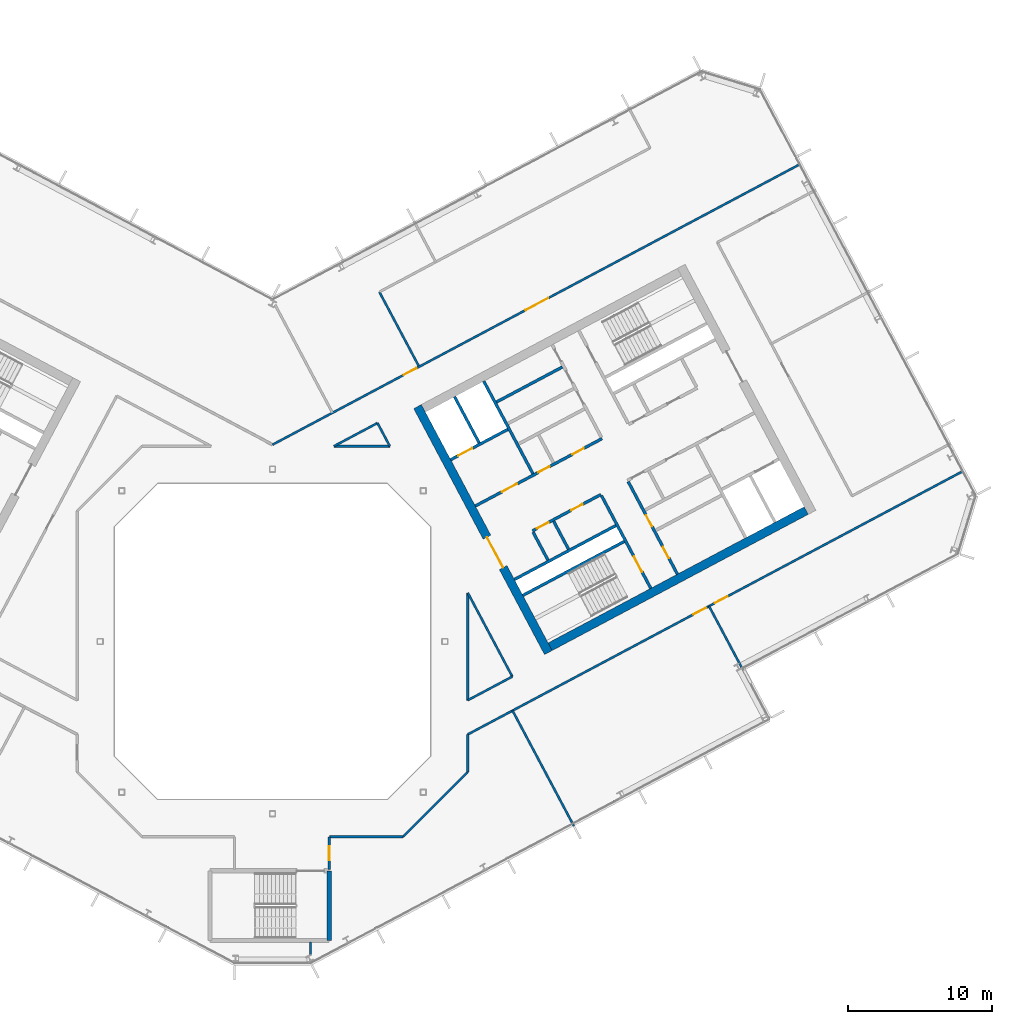
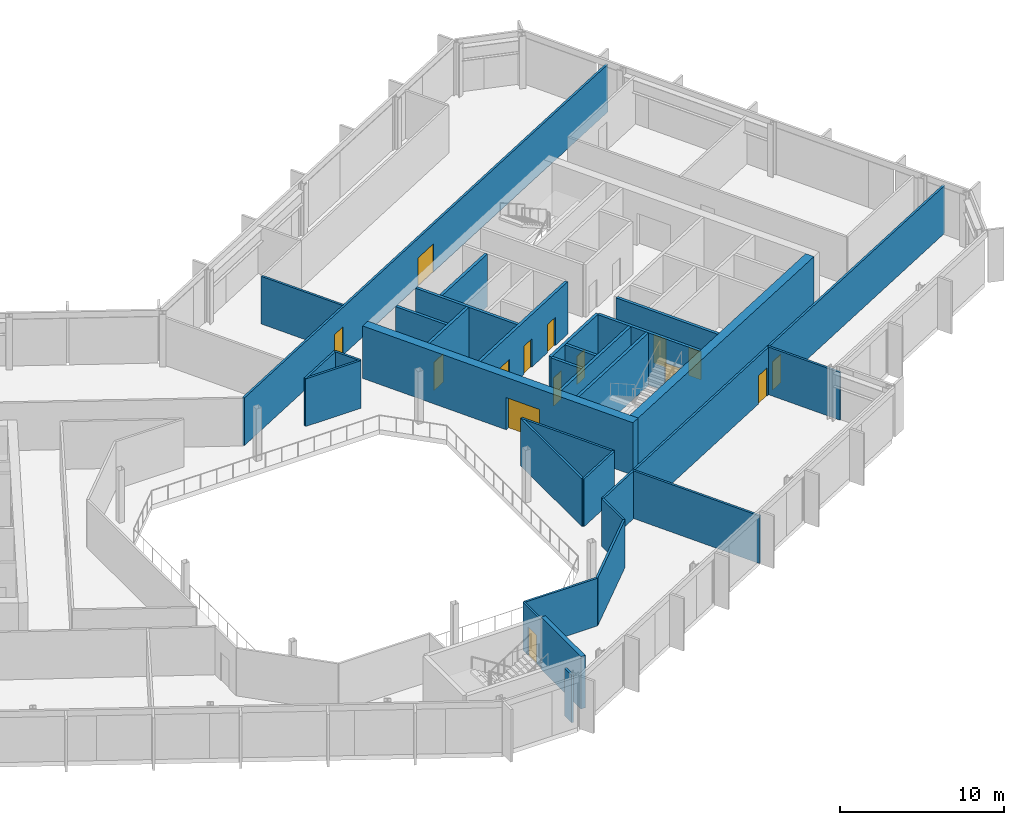
# One storey, part 15 of 26: 31 walls, 15 doors, 15 openings.
"""IFC4 building model written with IfcOpenShell, lengths in metres."""

from ifc_helpers import new_model, si_unit, direction, frame, frame_2d, origin, place, context, subcontext, project, spatial, rectangle, extrude, material, layer, layer_set, type_object, element, fill, save


model = new_model("IFC4")

# Units and contexts
model_context = context("Model", 3, precision=1e-05, world=origin(), true_north=direction((0.0, 1.0)))
body_context = subcontext(model_context, "Body", "Model", "MODEL_VIEW")
ifc_project = project(units=[si_unit("LENGTHUNIT", "METRE"), si_unit("AREAUNIT", "SQUARE_METRE"), si_unit("VOLUMEUNIT", "CUBIC_METRE"), si_unit("PLANEANGLEUNIT", "RADIAN"), si_unit("MASSUNIT", "GRAM", prefix="KILO")], contexts=[model_context])

# Site, building, storey
site_placement = place(None, origin())
site = spatial("IfcSite", under=ifc_project, at=site_placement, CompositionType="ELEMENT")
building_placement = place(site_placement, origin())
building = spatial("IfcBuilding", under=site, at=building_placement, Name="Cormorant Relay Tower", CompositionType="ELEMENT")
storey_placement = place(building_placement, frame((0.0, 0.0, 220.800048828125)))
storey = spatial("IfcBuildingStorey", under=building, at=storey_placement, Name="L48", CompositionType="ELEMENT", Elevation=220.800048828125)

# Walls
ifc_material_1 = material(Name="Concrete 40 MPa", Category="concrete")
ifc_layer_1 = layer(ifc_material_1, 0.199951171875)
ifc_layer_set_1 = layer_set([ifc_layer_1], Name="Core internal wall 200")
wall_type_1 = type_object("IfcWallType", Name="Core internal wall 200", PredefinedType="SOLIDWALL", material=ifc_layer_set_1)
wall_1_placement = place(storey_placement, frame((20.614013671875, 6.430419921875, 0.0), z_axis=(0.0, 0.0, 1.0), x_axis=(-0.4694473164, 0.882960484464, 0.0)))
element("IfcWall", 1, at=wall_1_placement, inside=storey, type_object=wall_type_1, Name="L48 core B shaft and room wall", PredefinedType="SOLIDWALL", context=body_context, shape_type="SweptSolid", body=[
    extrude(rectangle(XDim=2.199951171875, YDim=0.199951171875, at=frame_2d((1.10009765625, 0.0))), origin(), (0.0, 0.0, 1.0), 3.89990234375),
])
wall_2_placement = place(storey_placement, frame((15.59765625, 16.67431640625, 0.0), z_axis=(0.0, 0.0, 1.0), x_axis=(0.882934506056, 0.469496174655, 0.0)))
element("IfcWall", 2, at=wall_2_placement, inside=storey, type_object=wall_type_1, Name="L48 core B shaft and room wall", PredefinedType="SOLIDWALL", context=body_context, shape_type="SweptSolid", body=[
    extrude(rectangle(XDim=5.199951171875, YDim=0.199951171875, at=frame_2d((2.60009765625, 0.0))), origin(), (0.0, 0.0, 1.0), 3.89990234375),
])
ifc_material_2 = material(Name="Concrete 50 MPa", Category="concrete")
ifc_layer_2 = layer(ifc_material_2, 0.199951171875)
ifc_layer_set_2 = layer_set([ifc_layer_2], Name="Core shaft wall 200")
wall_type_2 = type_object("IfcWallType", Name="Core shaft wall 200", PredefinedType="SHEAR", material=ifc_layer_set_2)
wall_3_placement = place(storey_placement, frame((14.39404296875, 13.825927734375, 0.0), z_axis=(0.0, 0.0, 1.0), x_axis=(-0.469494272526, 0.882935517501, 0.0)))
element("IfcWall", 3, at=wall_3_placement, inside=storey, type_object=wall_type_2, Name="L48 core B shaft wall", PredefinedType="SHEAR", context=body_context, shape_type="SweptSolid", body=[
    extrude(rectangle(XDim=3.64990234375, YDim=0.199951171875, at=frame_2d((1.824951171875, 0.0))), origin(), (0.0, 0.0, 1.0), 3.89990234375),
])
wall_4_placement = place(storey_placement, frame((19.18359375, 5.669921875, 0.0), z_axis=(0.0, 0.0, 1.0), x_axis=(-0.4694473164, 0.882960484464, 0.0)))
element("IfcWall", 4, at=wall_4_placement, inside=storey, type_object=wall_type_2, Name="L48 core B shaft wall", PredefinedType="SHEAR", context=body_context, shape_type="SweptSolid", body=[
    extrude(rectangle(XDim=2.199951171875, YDim=0.199951171875, at=frame_2d((1.10009765625, 0.0))), origin(), (0.0, 0.0, 1.0), 3.89990234375),
])
wall_5_placement = place(storey_placement, frame((18.138427734375, 11.682861328125, 0.0), z_axis=(0.0, 0.0, 1.0), x_axis=(-0.469480409012, 0.88294288918, 0.0)))
element("IfcWall", 5, at=wall_5_placement, inside=storey, type_object=wall_type_2, Name="L48 core B shaft wall", PredefinedType="SHEAR", context=body_context, shape_type="SweptSolid", body=[
    extrude(rectangle(XDim=7.300048828125, YDim=0.199951171875, at=frame_2d((3.64990234375, 0.0))), origin(), (0.0, 0.0, 1.0), 3.89990234375),
])

# Wall, opening, door
wall_6_placement = place(storey_placement, frame((26.345947265625, 3.701904296875, 0.0), z_axis=(0.0, 0.0, 1.0), x_axis=(-0.469480409012, 0.88294288918, 0.0)))
wall_6 = element("IfcWall", 6, at=wall_6_placement, inside=storey, type_object=wall_type_2, Name="L48 core B shaft wall", PredefinedType="SHEAR", context=body_context, shape_type="SweptSolid", body=[
    extrude(rectangle(XDim=7.300048828125, YDim=0.199951171875, at=frame_2d((3.64990234375, 0.0))), origin(), (0.0, 0.0, 1.0), 3.89990234375),
])
opening_1_placement = place(wall_6_placement, frame((1.300048828125, 0.0, 0.0)))
opening_1 = element("IfcOpeningElement", 7, at=opening_1_placement, cuts=wall_6, Name="Opening CDB-040", PredefinedType="OPENING", context=body_context, shape_type="SweptSolid", body=[
    extrude(rectangle(XDim=1.199951171875, YDim=2.10009765625, at=frame_2d((0.60009765625, 1.050048828125))), frame((0.0, 0.10986328125, 0.0), z_axis=(0.0, -1.0, 0.0), x_axis=(1.0, 0.0, 0.0)), (0.0, 0.0, 1.0), 0.219970703125),
])
ifc_material_3 = material(Name="Steel fire door", Category="steel")
door_type_1 = type_object("IfcDoorType", Name="Core stair door 1200x2100", OperationType="SINGLE_SWING_LEFT", PredefinedType="DOOR", material=ifc_material_3)
door_1_placement = place(opening_1_placement, origin())
door_1 = element("IfcDoor", 8, at=door_1_placement, inside=storey, type_object=door_type_1, Name="Core stair door 1200x2100", OperationType="SINGLE_SWING_RIGHT", OverallHeight=2.10009765625, OverallWidth=1.199951171875, PredefinedType="DOOR", context=body_context, shape_type="SweptSolid", body=[
    extrude(rectangle(XDim=1.199951171875, YDim=2.10009765625, at=frame_2d((0.60009765625, 1.050048828125))), frame((0.0, 0.02490234375, 0.0), z_axis=(0.0, -1.0, 0.0), x_axis=(1.0, 0.0, 0.0)), (0.0, 0.0, 1.0), 0.050048828125),
])
fill(opening_1, door_1)

# Wall, openings, doors
wall_7_placement = place(storey_placement, frame((28.199951171875, 4.687744140625, 0.0), z_axis=(0.0, 0.0, 1.0), x_axis=(-0.469454336211, 0.882956752176, 0.0)))
wall_7 = element("IfcWall", 9, at=wall_7_placement, inside=storey, type_object=wall_type_2, Name="L48 core B shaft wall", PredefinedType="SHEAR", context=body_context, shape_type="SweptSolid", body=[
    extrude(rectangle(XDim=7.300048828125, YDim=0.199951171875, at=frame_2d((3.64990234375, 0.0))), origin(), (0.0, 0.0, 1.0), 3.89990234375),
])
opening_2_placement = place(wall_7_placement, frame((1.25, 0.0, 0.0)))
opening_2 = element("IfcOpeningElement", 10, at=opening_2_placement, cuts=wall_7, Name="Opening CDD-277", PredefinedType="OPENING", context=body_context, shape_type="SweptSolid", body=[
    extrude(rectangle(XDim=0.89990234375, YDim=2.10009765625, at=frame_2d((0.449951171875, 1.050048828125))), frame((0.0, 0.10986328125, 0.0), z_axis=(0.0, -1.0, 0.0), x_axis=(1.0, 0.0, 0.0)), (0.0, 0.0, 1.0), 0.219970703125),
])
opening_3_placement = place(wall_7_placement, frame((3.75, 0.0, 0.0)))
opening_3 = element("IfcOpeningElement", 11, at=opening_3_placement, cuts=wall_7, Name="Opening CDD-253", PredefinedType="OPENING", context=body_context, shape_type="SweptSolid", body=[
    extrude(rectangle(XDim=0.89990234375, YDim=2.10009765625, at=frame_2d((0.449951171875, 1.050048828125))), frame((0.0, 0.10986328125, 0.0), z_axis=(0.0, -1.0, 0.0), x_axis=(1.0, 0.0, 0.0)), (0.0, 0.0, 1.0), 0.219970703125),
])
ifc_material_4 = material(Name="Steel fire door", Category="steel")
door_type_2 = type_object("IfcDoorType", Name="Core room door 900x2100", OperationType="SINGLE_SWING_LEFT", PredefinedType="DOOR", material=ifc_material_4)
door_2_placement = place(opening_2_placement, frame((0.89990234375, 0.0, 0.0), z_axis=(0.0, 0.0, 1.0), x_axis=(-1.0, 0.0, 0.0)))
door_2 = element("IfcDoor", 12, at=door_2_placement, inside=storey, type_object=door_type_2, Name="Core room door 900x2100", OperationType="SINGLE_SWING_LEFT", OverallHeight=2.10009765625, OverallWidth=0.89990234375, PredefinedType="DOOR", context=body_context, shape_type="SweptSolid", body=[
    extrude(rectangle(XDim=0.89990234375, YDim=2.10009765625, at=frame_2d((0.449951171875, 1.050048828125))), frame((0.0, 0.02490234375, 0.0), z_axis=(0.0, -1.0, 0.0), x_axis=(1.0, 0.0, 0.0)), (0.0, 0.0, 1.0), 0.050048828125),
])
fill(opening_2, door_2)
door_3_placement = place(opening_3_placement, frame((0.89990234375, 0.0, 0.0), z_axis=(0.0, 0.0, 1.0), x_axis=(-1.0, 0.0, 0.0)))
door_3 = element("IfcDoor", 13, at=door_3_placement, inside=storey, type_object=door_type_2, Name="Core room door 900x2100", OperationType="SINGLE_SWING_LEFT", OverallHeight=2.10009765625, OverallWidth=0.89990234375, PredefinedType="DOOR", context=body_context, shape_type="SweptSolid", body=[
    extrude(rectangle(XDim=0.89990234375, YDim=2.10009765625, at=frame_2d((0.449951171875, 1.050048828125))), frame((0.0, 0.02490234375, 0.0), z_axis=(0.0, -1.0, 0.0), x_axis=(1.0, 0.0, 0.0)), (0.0, 0.0, 1.0), 0.050048828125),
])
fill(opening_3, door_3)

# Walls
for number, where, z_axis, x_axis, name in (
    (14, (17.43359375, 3.210205078125, 0.0), (0.0, 0.0, 1.0), (0.882940221191, 0.469485426614, 0.0), "L48 core B shaft wall"),
    (15, (16.8466796875, 4.31396484375, 0.0), (0.0, 0.0, 1.0), (0.882940221191, 0.469485426614, 0.0), "L48 core B shaft wall"),
):
    element("IfcWall", number, at=place(storey_placement, frame(where, z_axis=z_axis, x_axis=x_axis)), inside=storey, type_object=wall_type_2, Name=name, PredefinedType="SHEAR", context=body_context, shape_type="SweptSolid", body=[
        extrude(rectangle(XDim=8.0, YDim=0.199951171875, at=frame_2d((4.0, 0.0))), origin(), (0.0, 0.0, 1.0), 3.89990234375),
    ])

# Wall, openings, doors
wall_8_placement = place(storey_placement, frame((18.103759765625, 7.70068359375, 0.0), z_axis=(0.0, 0.0, 1.0), x_axis=(0.882952937579, 0.469461510692, 0.0)))
wall_8 = element("IfcWall", 16, at=wall_8_placement, inside=storey, type_object=wall_type_2, Name="L48 core B shaft wall", PredefinedType="SHEAR", context=body_context, shape_type="SweptSolid", body=[
    extrude(rectangle(XDim=5.400146484375, YDim=0.199951171875, at=frame_2d((2.7001953125, 0.0))), origin(), (0.0, 0.0, 1.0), 3.89990234375),
])
opening_4_placement = place(wall_8_placement, frame((0.360107421875, 0.0, 0.0)))
opening_4 = element("IfcOpeningElement", 17, at=opening_4_placement, cuts=wall_8, Name="Opening CDD-245", PredefinedType="OPENING", context=body_context, shape_type="SweptSolid", body=[
    extrude(rectangle(XDim=0.89990234375, YDim=2.10009765625, at=frame_2d((0.449951171875, 1.050048828125))), frame((0.0, 0.10986328125, 0.0), z_axis=(0.0, -1.0, 0.0), x_axis=(1.0, 0.0, 0.0)), (0.0, 0.0, 1.0), 0.219970703125),
])
opening_5_placement = place(wall_8_placement, frame((3.06005859375, 0.0, 0.0)))
opening_5 = element("IfcOpeningElement", 18, at=opening_5_placement, cuts=wall_8, Name="Opening CDD-246", PredefinedType="OPENING", context=body_context, shape_type="SweptSolid", body=[
    extrude(rectangle(XDim=0.89990234375, YDim=2.10009765625, at=frame_2d((0.449951171875, 1.050048828125))), frame((0.0, 0.10986328125, 0.0), z_axis=(0.0, -1.0, 0.0), x_axis=(1.0, 0.0, 0.0)), (0.0, 0.0, 1.0), 0.219970703125),
])
door_4_placement = place(opening_4_placement, frame((0.89990234375, 0.0, 0.0), z_axis=(0.0, 0.0, 1.0), x_axis=(-1.0, 0.0, 0.0)))
door_4 = element("IfcDoor", 19, at=door_4_placement, inside=storey, type_object=door_type_2, Name="Core room door 900x2100", OperationType="SINGLE_SWING_RIGHT", OverallHeight=2.10009765625, OverallWidth=0.89990234375, PredefinedType="DOOR", context=body_context, shape_type="SweptSolid", body=[
    extrude(rectangle(XDim=0.89990234375, YDim=2.10009765625, at=frame_2d((0.449951171875, 1.050048828125))), frame((0.0, 0.02490234375, 0.0), z_axis=(0.0, -1.0, 0.0), x_axis=(1.0, 0.0, 0.0)), (0.0, 0.0, 1.0), 0.050048828125),
])
fill(opening_4, door_4)
door_5_placement = place(opening_5_placement, frame((0.89990234375, 0.0, 0.0), z_axis=(0.0, 0.0, 1.0), x_axis=(-1.0, 0.0, 0.0)))
door_5 = element("IfcDoor", 20, at=door_5_placement, inside=storey, type_object=door_type_2, Name="Core room door 900x2100", OperationType="SINGLE_SWING_RIGHT", OverallHeight=2.10009765625, OverallWidth=0.89990234375, PredefinedType="DOOR", context=body_context, shape_type="SweptSolid", body=[
    extrude(rectangle(XDim=0.89990234375, YDim=2.10009765625, at=frame_2d((0.449951171875, 1.050048828125))), frame((0.0, 0.02490234375, 0.0), z_axis=(0.0, -1.0, 0.0), x_axis=(1.0, 0.0, 0.0)), (0.0, 0.0, 1.0), 0.050048828125),
])
fill(opening_5, door_5)

wall_9_placement = place(storey_placement, frame((14.123779296875, 9.43505859375, 0.0), z_axis=(0.0, 0.0, 1.0), x_axis=(0.882940221191, 0.469485426614, 0.0)))
wall_9 = element("IfcWall", 21, at=wall_9_placement, inside=storey, type_object=wall_type_2, Name="L48 core B shaft wall", PredefinedType="SHEAR", context=body_context, shape_type="SweptSolid", body=[
    extrude(rectangle(XDim=10.0, YDim=0.199951171875, at=frame_2d((5.0, 0.0))), origin(), (0.0, 0.0, 1.0), 3.89990234375),
])
opening_6_placement = place(wall_9_placement, frame((2.10009765625, 0.0, 0.0)))
opening_6 = element("IfcOpeningElement", 22, at=opening_6_placement, cuts=wall_9, Name="Opening CDC-035", PredefinedType="OPENING", context=body_context, shape_type="SweptSolid", body=[
    extrude(rectangle(XDim=1.199951171875, YDim=2.10009765625, at=frame_2d((0.60009765625, 1.050048828125))), frame((0.0, 0.10986328125, 0.0), z_axis=(0.0, -1.0, 0.0), x_axis=(1.0, 0.0, 0.0)), (0.0, 0.0, 1.0), 0.219970703125),
])
opening_7_placement = place(wall_9_placement, frame((4.9599609375, 0.0, 0.0)))
opening_7 = element("IfcOpeningElement", 23, at=opening_7_placement, cuts=wall_9, Name="Opening CDD-241", PredefinedType="OPENING", context=body_context, shape_type="SweptSolid", body=[
    extrude(rectangle(XDim=0.89990234375, YDim=2.10009765625, at=frame_2d((0.449951171875, 1.050048828125))), frame((0.0, 0.10986328125, 0.0), z_axis=(0.0, -1.0, 0.0), x_axis=(1.0, 0.0, 0.0)), (0.0, 0.0, 1.0), 0.219970703125),
])
opening_8_placement = place(wall_9_placement, frame((7.659912109375, 0.0, 0.0)))
opening_8 = element("IfcOpeningElement", 24, at=opening_8_placement, cuts=wall_9, Name="Opening CDD-272", PredefinedType="OPENING", context=body_context, shape_type="SweptSolid", body=[
    extrude(rectangle(XDim=0.89990234375, YDim=2.10009765625, at=frame_2d((0.449951171875, 1.050048828125))), frame((0.0, 0.10986328125, 0.0), z_axis=(0.0, -1.0, 0.0), x_axis=(1.0, 0.0, 0.0)), (0.0, 0.0, 1.0), 0.219970703125),
])
ifc_material_5 = material(Name="Steel fire door", Category="steel")
door_type_3 = type_object("IfcDoorType", Name="Core lobby door 1200x2100", OperationType="SINGLE_SWING_LEFT", PredefinedType="DOOR", material=ifc_material_5)
door_6_placement = place(opening_6_placement, frame((1.199951171875, 0.0, 0.0), z_axis=(0.0, 0.0, 1.0), x_axis=(-1.0, 0.0, 0.0)))
door_6 = element("IfcDoor", 25, at=door_6_placement, inside=storey, type_object=door_type_3, Name="Core lobby door 1200x2100", OperationType="SINGLE_SWING_RIGHT", OverallHeight=2.10009765625, OverallWidth=1.199951171875, PredefinedType="DOOR", context=body_context, shape_type="SweptSolid", body=[
    extrude(rectangle(XDim=1.199951171875, YDim=2.10009765625, at=frame_2d((0.60009765625, 1.050048828125))), frame((0.0, 0.02490234375, 0.0), z_axis=(0.0, -1.0, 0.0), x_axis=(1.0, 0.0, 0.0)), (0.0, 0.0, 1.0), 0.050048828125),
])
fill(opening_6, door_6)
door_7_placement = place(opening_7_placement, frame((0.89990234375, 0.0, 0.0), z_axis=(0.0, 0.0, 1.0), x_axis=(-1.0, 0.0, 0.0)))
door_7 = element("IfcDoor", 26, at=door_7_placement, inside=storey, type_object=door_type_2, Name="Core room door 900x2100", OperationType="SINGLE_SWING_RIGHT", OverallHeight=2.10009765625, OverallWidth=0.89990234375, PredefinedType="DOOR", context=body_context, shape_type="SweptSolid", body=[
    extrude(rectangle(XDim=0.89990234375, YDim=2.10009765625, at=frame_2d((0.449951171875, 1.050048828125))), frame((0.0, 0.02490234375, 0.0), z_axis=(0.0, -1.0, 0.0), x_axis=(1.0, 0.0, 0.0)), (0.0, 0.0, 1.0), 0.050048828125),
])
fill(opening_7, door_7)
door_8_placement = place(opening_8_placement, origin())
door_8 = element("IfcDoor", 27, at=door_8_placement, inside=storey, type_object=door_type_2, Name="Core room door 900x2100", OperationType="SINGLE_SWING_LEFT", OverallHeight=2.10009765625, OverallWidth=0.89990234375, PredefinedType="DOOR", context=body_context, shape_type="SweptSolid", body=[
    extrude(rectangle(XDim=0.89990234375, YDim=2.10009765625, at=frame_2d((0.449951171875, 1.050048828125))), frame((0.0, 0.02490234375, 0.0), z_axis=(0.0, -1.0, 0.0), x_axis=(1.0, 0.0, 0.0)), (0.0, 0.0, 1.0), 0.050048828125),
])
fill(opening_8, door_8)

# Wall, opening, door
wall_10_placement = place(storey_placement, frame((12.41015625, 12.657958984375, 0.0), z_axis=(0.0, 0.0, 1.0), x_axis=(0.8829484765, 0.469469900894, 0.0)))
wall_10 = element("IfcWall", 28, at=wall_10_placement, inside=storey, type_object=wall_type_2, Name="L48 core B shaft wall", PredefinedType="SHEAR", context=body_context, shape_type="SweptSolid", body=[
    extrude(rectangle(XDim=4.499755859375, YDim=0.199951171875, at=frame_2d((2.25, 0.0))), origin(), (0.0, 0.0, 1.0), 3.89990234375),
])
opening_9_placement = place(wall_10_placement, frame((0.60009765625, 0.0, 0.0)))
opening_9 = element("IfcOpeningElement", 29, at=opening_9_placement, cuts=wall_10, Name="Opening LD1-064", PredefinedType="OPENING", context=body_context, shape_type="SweptSolid", body=[
    extrude(rectangle(XDim=1.10009765625, YDim=2.10009765625, at=frame_2d((0.550048828125, 1.050048828125))), frame((0.0, 0.10986328125, 0.0), z_axis=(0.0, -1.0, 0.0), x_axis=(1.0, 0.0, 0.0)), (0.0, 0.0, 1.0), 0.219970703125),
])
ifc_material_6 = material(Name="Stainless steel 316", Category="steel")
door_type_4 = type_object("IfcDoorType", Name="Lift landing door 1100x2100", OperationType="DOUBLE_DOOR_SLIDING", PredefinedType="DOOR", material=ifc_material_6)
door_9_placement = place(opening_9_placement, origin())
door_9 = element("IfcDoor", 30, at=door_9_placement, inside=storey, type_object=door_type_4, Name="FF2 landing door", OperationType="DOUBLE_DOOR_SLIDING", OverallHeight=2.10009765625, OverallWidth=1.10009765625, PredefinedType="DOOR", context=body_context, shape_type="SweptSolid", body=[
    extrude(rectangle(XDim=1.10009765625, YDim=2.10009765625, at=frame_2d((0.550048828125, 1.050048828125))), frame((0.0, 0.02490234375, 0.0), z_axis=(0.0, -1.0, 0.0), x_axis=(1.0, 0.0, 0.0)), (0.0, 0.0, 1.0), 0.050048828125),
])
fill(opening_9, door_9)

ifc_material_7 = material(Name="Concrete 50 MPa", Category="concrete")
ifc_layer_3 = layer(ifc_material_7, 0.60009765625)
ifc_layer_set_3 = layer_set([ifc_layer_3], Name="Core wall 600")
wall_type_3 = type_object("IfcWallType", Name="Core wall 600", PredefinedType="SHEAR", material=ifc_layer_set_3)
wall_11_placement = place(storey_placement, frame((19.210693359375, -0.771484375, 0.0), z_axis=(0.0, 0.0, 1.0), x_axis=(-0.469463742137, 0.882951751127, 0.0)))
wall_11 = element("IfcWall", 31, at=wall_11_placement, inside=storey, type_object=wall_type_3, Name="L48 core B wall", PredefinedType="SHEAR", context=body_context, shape_type="SweptSolid", body=[
    extrude(rectangle(XDim=19.400146484375, YDim=0.60009765625, at=frame_2d((9.7001953125, 0.0))), origin(), (0.0, 0.0, 1.0), 3.89990234375),
])
opening_10_placement = place(wall_11_placement, frame((6.699951171875, 0.0, 0.0)))
opening_10 = element("IfcOpeningElement", 32, at=opening_10_placement, cuts=wall_11, Name="Opening CDA-042", PredefinedType="OPENING", context=body_context, shape_type="SweptSolid", body=[
    extrude(rectangle(XDim=2.39990234375, YDim=2.39990234375, at=frame_2d((1.199951171875, 1.199951171875))), frame((0.0, 0.31005859375, 0.0), z_axis=(0.0, -1.0, 0.0), x_axis=(1.0, 0.0, 0.0)), (0.0, 0.0, 1.0), 0.6201171875),
])
ifc_material_8 = material(Name="Steel fire door", Category="steel")
door_type_5 = type_object("IfcDoorType", Name="Core lobby door 2400x2400", OperationType="DOUBLE_DOOR_SINGLE_SWING", PredefinedType="DOOR", material=ifc_material_8)
door_10_placement = place(opening_10_placement, frame((2.39990234375, 0.0, 0.0), z_axis=(0.0, 0.0, 1.0), x_axis=(-1.0, 0.0, 0.0)))
door_10 = element("IfcDoor", 33, at=door_10_placement, inside=storey, type_object=door_type_5, Name="Core lobby door 2400x2400", OperationType="DOUBLE_DOOR_SINGLE_SWING", OverallHeight=2.39990234375, OverallWidth=2.39990234375, PredefinedType="DOOR", context=body_context, shape_type="SweptSolid", body=[
    extrude(rectangle(XDim=2.39990234375, YDim=2.39990234375, at=frame_2d((1.199951171875, 1.199951171875))), frame((0.0, 0.02490234375, 0.0), z_axis=(0.0, -1.0, 0.0), x_axis=(1.0, 0.0, 0.0)), (0.0, 0.0, 1.0), 0.050048828125),
])
fill(opening_10, door_10)

# Wall
wall_12_placement = place(storey_placement, frame((19.3349609375, -0.36572265625, 0.0), z_axis=(0.0, 0.0, 1.0), x_axis=(0.88294509198, 0.469476266226, 0.0)))
element("IfcWall", 34, at=wall_12_placement, inside=storey, type_object=wall_type_3, Name="L48 core B wall", PredefinedType="SHEAR", context=body_context, shape_type="SweptSolid", body=[
    extrude(rectangle(XDim=20.199951171875, YDim=0.60009765625, at=frame_2d((10.10009765625, 0.0))), origin(), (0.0, 0.0, 1.0), 3.89990234375),
])

# Wall, openings, doors
ifc_material_9 = material(Name="Gypsum board fire partition")
ifc_layer_4 = layer(ifc_material_9, 0.14990234375)
ifc_layer_set_4 = layer_set([ifc_layer_4], Name="Corridor partition 150 EI 60")
wall_type_4 = type_object("IfcWallType", Name="Corridor partition 150 EI 60", PredefinedType="PARTITIONING", material=ifc_layer_set_4)
wall_13_placement = place(storey_placement, frame((0.0, 13.7041015625, 0.0), z_axis=(0.0, 0.0, 1.0), x_axis=(0.882937043325, 0.469491403036, 0.0)))
wall_13 = element("IfcWall", 35, at=wall_13_placement, inside=storey, type_object=wall_type_4, Name="wall/L48/part/012", PredefinedType="PARTITIONING", context=body_context, shape_type="SweptSolid", body=[
    extrude(rectangle(XDim=41.76611328125, YDim=0.14990234375, at=frame_2d((20.883056640625, 0.0))), origin(), (0.0, 0.0, 1.0), 3.5400390625),
])
opening_11_placement = place(wall_13_placement, frame((19.949951171875, 0.0, 0.0)))
opening_11 = element("IfcOpeningElement", 36, at=opening_11_placement, cuts=wall_13, Name="Opening DD-026", PredefinedType="OPENING", context=body_context, shape_type="SweptSolid", body=[
    extrude(rectangle(XDim=1.800048828125, YDim=2.10009765625, at=frame_2d((0.89990234375, 1.050048828125))), frame((0.0, 0.0849609375, 0.0), z_axis=(0.0, -1.0, 0.0), x_axis=(1.0, 0.0, 0.0)), (0.0, 0.0, 1.0), 0.169921875),
])
opening_12_placement = place(wall_13_placement, frame((10.35009765625, 0.0, 0.0)))
opening_12 = element("IfcOpeningElement", 37, at=opening_12_placement, cuts=wall_13, Name="Opening DS-147", PredefinedType="OPENING", context=body_context, shape_type="SweptSolid", body=[
    extrude(rectangle(XDim=1.0, YDim=2.10009765625, at=frame_2d((0.5, 1.050048828125))), frame((0.0, 0.0849609375, 0.0), z_axis=(0.0, -1.0, 0.0), x_axis=(1.0, 0.0, 0.0)), (0.0, 0.0, 1.0), 0.169921875),
])
ifc_material_10 = material(Name="Timber door leaf", Category="wood")
door_type_6 = type_object("IfcDoorType", Name="Suite door 1000x2100", OperationType="SINGLE_SWING_LEFT", PredefinedType="DOOR", material=ifc_material_10)
door_11_placement = place(opening_12_placement, origin())
door_11 = element("IfcDoor", 38, at=door_11_placement, inside=storey, type_object=door_type_6, Name="door/L48/012", OperationType="SINGLE_SWING_RIGHT", OverallHeight=2.10009765625, OverallWidth=1.0, PredefinedType="DOOR", context=body_context, shape_type="SweptSolid", body=[
    extrude(rectangle(XDim=1.0, YDim=2.10009765625, at=frame_2d((0.5, 1.050048828125))), frame((0.0, 0.02490234375, 0.0), z_axis=(0.0, -1.0, 0.0), x_axis=(1.0, 0.0, 0.0)), (0.0, 0.0, 1.0), 0.050048828125),
])
fill(opening_12, door_11)
ifc_material_11 = material(Name="Timber door leaf", Category="wood")
door_type_7 = type_object("IfcDoorType", Name="Suite double door 1800x2100", OperationType="DOUBLE_DOOR_SINGLE_SWING", PredefinedType="DOOR", material=ifc_material_11)
door_12_placement = place(opening_11_placement, origin())
door_12 = element("IfcDoor", 39, at=door_12_placement, inside=storey, type_object=door_type_7, Name="door/L48/011", OperationType="DOUBLE_DOOR_SINGLE_SWING", OverallHeight=2.10009765625, OverallWidth=1.800048828125, PredefinedType="DOOR", context=body_context, shape_type="SweptSolid", body=[
    extrude(rectangle(XDim=1.800048828125, YDim=2.10009765625, at=frame_2d((0.89990234375, 1.050048828125))), frame((0.0, 0.02490234375, 0.0), z_axis=(0.0, -1.0, 0.0), x_axis=(1.0, 0.0, 0.0)), (0.0, 0.0, 1.0), 0.050048828125),
])
fill(opening_11, door_12)

# Wall, opening, door
wall_14_placement = place(storey_placement, frame((3.949951171875, -13.60009765625, 0.0), z_axis=(0.0, 0.0, 1.0), x_axis=(0.0, -1.0, 0.0)))
wall_14 = element("IfcWall", 40, at=wall_14_placement, inside=storey, type_object=wall_type_4, Name="wall/L48/part/027", PredefinedType="PARTITIONING", context=body_context, shape_type="SweptSolid", body=[
    extrude(rectangle(XDim=2.27490234375, YDim=0.14990234375, at=frame_2d((1.137451171875, 0.0))), origin(), (0.0, 0.0, 1.0), 3.5400390625),
])
opening_13_placement = place(wall_14_placement, frame((0.64990234375, 0.0, 0.0)))
opening_13 = element("IfcOpeningElement", 41, at=opening_13_placement, cuts=wall_14, Name="Opening DS-138", PredefinedType="OPENING", context=body_context, shape_type="SweptSolid", body=[
    extrude(rectangle(XDim=1.0, YDim=2.10009765625, at=frame_2d((0.5, 1.050048828125))), frame((0.0, 0.0849609375, 0.0), z_axis=(0.0, -1.0, 0.0), x_axis=(1.0, 0.0, 0.0)), (0.0, 0.0, 1.0), 0.169921875),
])
door_13_placement = place(opening_13_placement, origin())
door_13 = element("IfcDoor", 42, at=door_13_placement, inside=storey, type_object=door_type_6, Name="door/L48/001", OperationType="SINGLE_SWING_LEFT", OverallHeight=2.10009765625, OverallWidth=1.0, PredefinedType="DOOR", context=body_context, shape_type="SweptSolid", body=[
    extrude(rectangle(XDim=1.0, YDim=2.10009765625, at=frame_2d((0.5, 1.050048828125))), frame((0.0, 0.02490234375, 0.0), z_axis=(0.0, -1.0, 0.0), x_axis=(1.0, 0.0, 0.0)), (0.0, 0.0, 1.0), 0.050048828125),
])
fill(opening_13, door_13)

# Walls
wall_15_placement = place(storey_placement, frame((13.60009765625, -6.490966796875, 0.0), z_axis=(0.0, 0.0, 1.0), x_axis=(0.0, -1.0, 0.0)))
element("IfcWall", 43, at=wall_15_placement, inside=storey, type_object=wall_type_4, Name="wall/L48/part/028", PredefinedType="PARTITIONING", context=body_context, shape_type="SweptSolid", body=[
    extrude(rectangle(XDim=2.5859375, YDim=0.14990234375, at=frame_2d((1.29296875, 0.0))), origin(), (0.0, 0.0, 1.0), 3.5400390625),
])
wall_16_placement = place(storey_placement, frame((13.60009765625, -9.076904296875, 0.0), z_axis=(0.0, 0.0, 1.0), x_axis=(-0.707106781187, -0.707106781187, 0.0)))
element("IfcWall", 44, at=wall_16_placement, inside=storey, type_object=wall_type_4, Name="wall/L48/part/029", PredefinedType="PARTITIONING", context=body_context, shape_type="SweptSolid", body=[
    extrude(rectangle(XDim=6.396728515625, YDim=0.14990234375, at=frame_2d((3.1982421875, 0.0))), origin(), (0.0, 0.0, 1.0), 3.5400390625),
])
wall_17_placement = place(storey_placement, frame((9.076904296875, -13.60009765625, 0.0), z_axis=(0.0, 0.0, 1.0), x_axis=(-1.0, 0.0, 0.0)))
element("IfcWall", 45, at=wall_17_placement, inside=storey, type_object=wall_type_4, Name="wall/L48/part/030", PredefinedType="PARTITIONING", context=body_context, shape_type="SweptSolid", body=[
    extrude(rectangle(XDim=5.091796875, YDim=0.14990234375, at=frame_2d((2.5458984375, 0.0))), origin(), (0.0, 0.0, 1.0), 3.5400390625),
])

# Wall, openings, doors
wall_18_placement = place(storey_placement, frame((48.239013671875, 11.944091796875, 0.0), z_axis=(0.0, 0.0, 1.0), x_axis=(-0.882956533409, -0.469454747671, 0.0)))
wall_18 = element("IfcWall", 46, at=wall_18_placement, inside=storey, type_object=wall_type_4, Name="wall/L48/part/037", PredefinedType="PARTITIONING", context=body_context, shape_type="SweptSolid", body=[
    extrude(rectangle(XDim=39.230712890625, YDim=0.14990234375, at=frame_2d((19.615234375, 0.0))), origin(), (0.0, 0.0, 1.0), 3.5400390625),
])
opening_14_placement = place(wall_18_placement, frame((20.449951171875, 0.0, 0.0)))
opening_14 = element("IfcOpeningElement", 47, at=opening_14_placement, cuts=wall_18, Name="Opening DS-139", PredefinedType="OPENING", context=body_context, shape_type="SweptSolid", body=[
    extrude(rectangle(XDim=1.0, YDim=2.10009765625, at=frame_2d((0.5, 1.050048828125))), frame((0.0, 0.0849609375, 0.0), z_axis=(0.0, -1.0, 0.0), x_axis=(1.0, 0.0, 0.0)), (0.0, 0.0, 1.0), 0.169921875),
])
opening_15_placement = place(wall_18_placement, frame((18.75, 0.0, 0.0)))
opening_15 = element("IfcOpeningElement", 48, at=opening_15_placement, cuts=wall_18, Name="Opening DS-140", PredefinedType="OPENING", context=body_context, shape_type="SweptSolid", body=[
    extrude(rectangle(XDim=1.0, YDim=2.10009765625, at=frame_2d((0.5, 1.050048828125))), frame((0.0, 0.0849609375, 0.0), z_axis=(0.0, -1.0, 0.0), x_axis=(1.0, 0.0, 0.0)), (0.0, 0.0, 1.0), 0.169921875),
])
door_14_placement = place(opening_14_placement, origin())
door_14 = element("IfcDoor", 49, at=door_14_placement, inside=storey, type_object=door_type_6, Name="door/L48/002", OperationType="SINGLE_SWING_LEFT", OverallHeight=2.10009765625, OverallWidth=1.0, PredefinedType="DOOR", context=body_context, shape_type="SweptSolid", body=[
    extrude(rectangle(XDim=1.0, YDim=2.10009765625, at=frame_2d((0.5, 1.050048828125))), frame((0.0, 0.02490234375, 0.0), z_axis=(0.0, -1.0, 0.0), x_axis=(1.0, 0.0, 0.0)), (0.0, 0.0, 1.0), 0.050048828125),
])
fill(opening_14, door_14)
door_15_placement = place(opening_15_placement, origin())
door_15 = element("IfcDoor", 50, at=door_15_placement, inside=storey, type_object=door_type_6, Name="door/L48/003", OperationType="SINGLE_SWING_RIGHT", OverallHeight=2.10009765625, OverallWidth=1.0, PredefinedType="DOOR", context=body_context, shape_type="SweptSolid", body=[
    extrude(rectangle(XDim=1.0, YDim=2.10009765625, at=frame_2d((0.5, 1.050048828125))), frame((0.0, 0.02490234375, 0.0), z_axis=(0.0, -1.0, 0.0), x_axis=(1.0, 0.0, 0.0)), (0.0, 0.0, 1.0), 0.050048828125),
])
fill(opening_15, door_15)

# Walls
wall_19_placement = place(storey_placement, frame((8.172119140625, 13.60009765625, 0.0), z_axis=(0.0, 0.0, 1.0), x_axis=(-0.46987425421, 0.882733360212, 0.0)))
element("IfcWall", 51, at=wall_19_placement, inside=storey, type_object=wall_type_4, Name="wall/L48/part/049", PredefinedType="PARTITIONING", context=body_context, shape_type="SweptSolid", body=[
    extrude(rectangle(XDim=1.828369140625, YDim=0.14990234375, at=frame_2d((0.9140625, 0.0))), origin(), (0.0, 0.0, 1.0), 3.5400390625),
])
wall_20_placement = place(storey_placement, frame((7.31298828125, 15.214111328125, 0.0), z_axis=(0.0, 0.0, 1.0), x_axis=(-0.882971338339, -0.469426901308, 0.0)))
element("IfcWall", 52, at=wall_20_placement, inside=storey, type_object=wall_type_4, Name="wall/L48/part/050", PredefinedType="PARTITIONING", context=body_context, shape_type="SweptSolid", body=[
    extrude(rectangle(XDim=3.438232421875, YDim=0.14990234375, at=frame_2d((1.71923828125, 0.0))), origin(), (0.0, 0.0, 1.0), 3.5400390625),
])
wall_21_placement = place(storey_placement, frame((4.277099609375, 13.60009765625, 0.0), z_axis=(0.0, 0.0, 1.0), x_axis=(1.0, 0.0, 0.0)))
element("IfcWall", 53, at=wall_21_placement, inside=storey, type_object=wall_type_4, Name="wall/L48/part/051", PredefinedType="PARTITIONING", context=body_context, shape_type="SweptSolid", body=[
    extrude(rectangle(XDim=3.89501953125, YDim=0.14990234375, at=frame_2d((1.947509765625, 0.0))), origin(), (0.0, 0.0, 1.0), 3.5400390625),
])
wall_22_placement = place(storey_placement, frame((13.60009765625, 3.39111328125, 0.0), z_axis=(0.0, 0.0, 1.0), x_axis=(0.0, -1.0, 0.0)))
element("IfcWall", 54, at=wall_22_placement, inside=storey, type_object=wall_type_4, Name="wall/L48/part/052", PredefinedType="PARTITIONING", context=body_context, shape_type="SweptSolid", body=[
    extrude(rectangle(XDim=7.485107421875, YDim=0.14990234375, at=frame_2d((3.74267578125, 0.0))), origin(), (0.0, 0.0, 1.0), 3.5400390625),
])
wall_23_placement = place(storey_placement, frame((13.60009765625, -4.093994140625, 0.0), z_axis=(0.0, 0.0, 1.0), x_axis=(0.883048239113, 0.469282225743, 0.0)))
element("IfcWall", 55, at=wall_23_placement, inside=storey, type_object=wall_type_4, Name="wall/L48/part/053", PredefinedType="PARTITIONING", context=body_context, shape_type="SweptSolid", body=[
    extrude(rectangle(XDim=3.513671875, YDim=0.14990234375, at=frame_2d((1.7568359375, 0.0))), origin(), (0.0, 0.0, 1.0), 3.5400390625),
])
wall_24_placement = place(storey_placement, frame((16.702880859375, -2.445068359375, 0.0), z_axis=(0.0, 0.0, 1.0), x_axis=(-0.469427966585, 0.88297077199, 0.0)))
element("IfcWall", 56, at=wall_24_placement, inside=storey, type_object=wall_type_4, Name="wall/L48/part/054", PredefinedType="PARTITIONING", context=body_context, shape_type="SweptSolid", body=[
    extrude(rectangle(XDim=6.609619140625, YDim=0.14990234375, at=frame_2d((3.3046875, 0.0))), origin(), (0.0, 0.0, 1.0), 3.5400390625),
])
ifc_material_12 = material(Name="Concrete 50 MPa", Category="concrete")
ifc_layer_5 = layer(ifc_material_12, 0.300048828125)
ifc_layer_set_5 = layer_set([ifc_layer_5], Name="Remote stair wall 300")
wall_type_5 = type_object("IfcWallType", Name="Remote stair wall 300", PredefinedType="SHEAR", material=ifc_layer_set_5)
wall_25_placement = place(storey_placement, frame((3.949951171875, -15.97509765625, 0.0), z_axis=(0.0, 0.0, 1.0), x_axis=(0.0, -1.0, 0.0)))
element("IfcWall", 57, at=wall_25_placement, inside=storey, type_object=wall_type_5, Name="L48 exit stair RK1 wall", PredefinedType="SHEAR", context=body_context, shape_type="SweptSolid", body=[
    extrude(rectangle(XDim=4.849853515625, YDim=0.300048828125, at=frame_2d((2.4248046875, 0.0))), origin(), (0.0, 0.0, 1.0), 3.89990234375),
])
ifc_material_13 = material(Name="Gypsum board partition")
ifc_layer_6 = layer(ifc_material_13, 0.14990234375)
ifc_layer_set_6 = layer_set([ifc_layer_6], Name="Tenant partition 150")
wall_type_6 = type_object("IfcWallType", Name="Tenant partition 150", PredefinedType="PARTITIONING", material=ifc_layer_set_6)
wall_26_placement = place(storey_placement, frame((2.64892578125, -21.799072265625, 0.0), z_axis=(0.0, 0.0, 1.0), x_axis=(0.0, 1.0, 0.0)))
element("IfcWall", 58, at=wall_26_placement, inside=storey, type_object=wall_type_6, Name="wall/L48/part/026", PredefinedType="PARTITIONING", context=body_context, shape_type="SweptSolid", body=[
    extrude(rectangle(XDim=0.8740234375, YDim=0.14990234375, at=frame_2d((0.43701171875, 0.0))), origin(), (0.0, 0.0, 1.0), 3.5400390625),
])
wall_27_placement = place(storey_placement, frame((7.443115234375, 24.343017578125, 0.0), z_axis=(0.0, 0.0, 1.0), x_axis=(0.469531157267, -0.882915903332, 0.0)))
element("IfcWall", 59, at=wall_27_placement, inside=storey, type_object=wall_type_6, Name="wall/L48/part/033", PredefinedType="PARTITIONING", context=body_context, shape_type="SweptSolid", body=[
    extrude(rectangle(XDim=5.83984375, YDim=0.14990234375, at=frame_2d((2.919921875, 0.0))), origin(), (0.0, 0.0, 1.0), 3.5400390625),
])
wall_28_placement = place(storey_placement, frame((16.718017578125, -4.81494140625, 0.0), z_axis=(0.0, 0.0, 1.0), x_axis=(0.46943766298, -0.882965616871, 0.0)))
element("IfcWall", 60, at=wall_28_placement, inside=storey, type_object=wall_type_6, Name="wall/L48/part/036", PredefinedType="PARTITIONING", context=body_context, shape_type="SweptSolid", body=[
    extrude(rectangle(XDim=9.10009765625, YDim=0.14990234375, at=frame_2d((4.550048828125, 0.0))), origin(), (0.0, 0.0, 1.0), 3.5400390625),
])
wall_29_placement = place(storey_placement, frame((30.403076171875, 2.4619140625, 0.0), z_axis=(0.0, 0.0, 1.0), x_axis=(0.469519202187, -0.882922260891, 0.0)))
element("IfcWall", 61, at=wall_29_placement, inside=storey, type_object=wall_type_6, Name="wall/L48/part/038", PredefinedType="PARTITIONING", context=body_context, shape_type="SweptSolid", body=[
    extrude(rectangle(XDim=5.181640625, YDim=0.14990234375, at=frame_2d((2.5908203125, 0.0))), origin(), (0.0, 0.0, 1.0), 3.5400390625),
])

save(model, "model.ifc")
